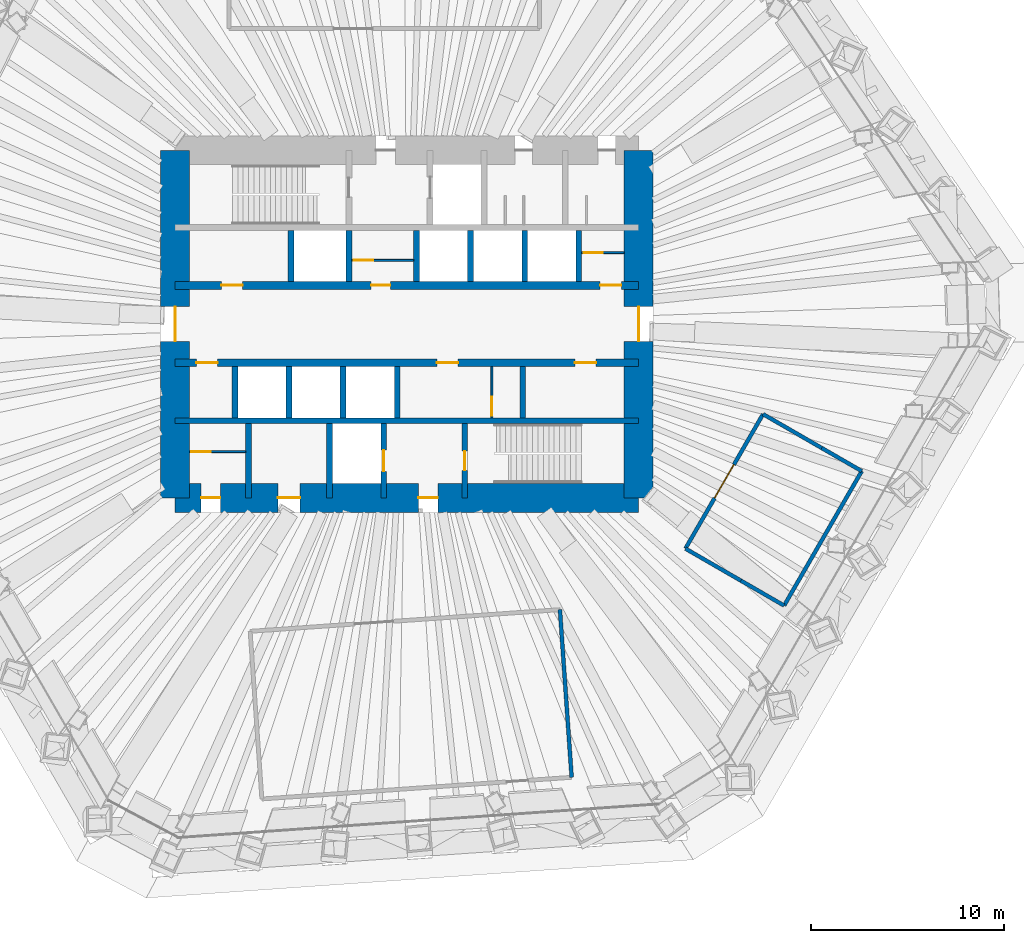
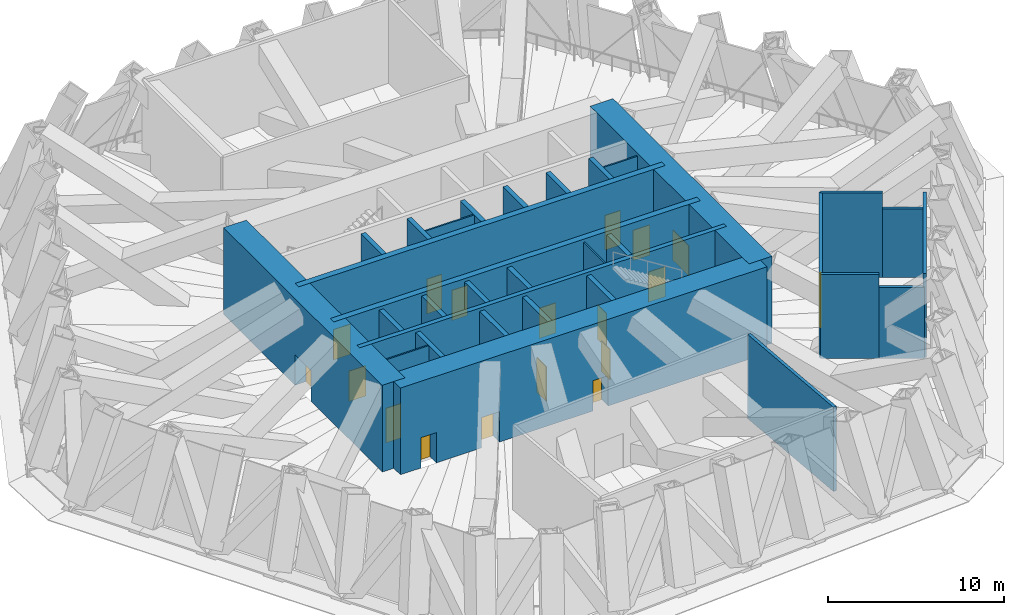
# One storey, part 7 of 12: 32 walls, 18 doors, 18 openings.
"""IFC4 building model written with IfcOpenShell, lengths in metres."""

from ifc_helpers import new_model, si_unit, direction, frame, frame_2d, origin, place, context, subcontext, project, spatial, rectangle, extrude, material, layer, layer_set, type_object, element, fill, save


model = new_model("IFC4")

# Units and contexts
model_context = context("Model", 3, precision=1e-05, world=origin(), true_north=direction((0.0, 1.0)))
body_context = subcontext(model_context, "Body", "Model", "MODEL_VIEW")
ifc_project = project(units=[si_unit("LENGTHUNIT", "METRE"), si_unit("AREAUNIT", "SQUARE_METRE"), si_unit("VOLUMEUNIT", "CUBIC_METRE"), si_unit("PLANEANGLEUNIT", "RADIAN"), si_unit("MASSUNIT", "GRAM", prefix="KILO")], contexts=[model_context])

# Site, building, storey
site_placement = place(None, origin())
site = spatial("IfcSite", under=ifc_project, at=site_placement, CompositionType="ELEMENT")
building_placement = place(site_placement, origin())
building = spatial("IfcBuilding", under=site, at=building_placement, Name="Qingtian Harvest Tower", CompositionType="ELEMENT")
storey_placement = place(building_placement, frame((0.0, 0.0, 97.0)))
storey = spatial("IfcBuildingStorey", under=building, at=storey_placement, Name="L19", CompositionType="ELEMENT", Elevation=97.0)

# Wall
ifc_material_1 = material(Name="Concrete fc' 70 MPa", Category="concrete")
ifc_layer_1 = layer(ifc_material_1, 0.300048828125)
ifc_layer_set_1 = layer_set([ifc_layer_1], Name="Core inner wall RC5 300")
wall_type_1 = type_object("IfcWallType", Name="Core inner wall RC5 300", PredefinedType="SHEAR", material=ifc_layer_set_1)
wall_1_placement = place(storey_placement, frame((-12.0, -5.0, 0.0), z_axis=(0.0, 0.0, 1.0), x_axis=(1.0, 0.0, 0.0)))
element("IfcWall", 1, at=wall_1_placement, inside=storey, type_object=wall_type_1, Name="Core wall IS5 L19", PredefinedType="SHEAR", context=body_context, shape_type="SweptSolid", body=[
    extrude(rectangle(XDim=24.0, YDim=0.300048828125, at=frame_2d((12.0, 0.0))), origin(), (0.0, 0.0, 1.0), 6.0),
])

# Wall, openings, doors
ifc_material_2 = material(Name="Concrete fc' 70 MPa", Category="concrete")
ifc_layer_2 = layer(ifc_material_2, 0.39990234375)
ifc_layer_set_2 = layer_set([ifc_layer_2], Name="Core inner web RC6 400")
wall_type_2 = type_object("IfcWallType", Name="Core inner web RC6 400", PredefinedType="SHEAR", material=ifc_layer_set_2)
wall_2_placement = place(storey_placement, frame((-12.0, 2.0, 0.0), z_axis=(0.0, 0.0, 1.0), x_axis=(1.0, 0.0, 0.0)))
wall_2 = element("IfcWall", 2, at=wall_2_placement, inside=storey, type_object=wall_type_2, Name="Core wall IN2 L19", PredefinedType="SHEAR", context=body_context, shape_type="SweptSolid", body=[
    extrude(rectangle(XDim=24.0, YDim=0.39990234375, at=frame_2d((12.0, 0.0))), origin(), (0.0, 0.0, 1.0), 6.0),
])
opening_1_placement = place(wall_2_placement, frame((2.39990234375, 0.0, 0.0)))
opening_1 = element("IfcOpeningElement", 3, at=opening_1_placement, cuts=wall_2, Name="Opening FD4", PredefinedType="OPENING", context=body_context, shape_type="SweptSolid", body=[
    extrude(rectangle(XDim=1.10009765625, YDim=2.10009765625, at=frame_2d((0.550048828125, 1.050048828125))), frame((0.0, 0.2099609375, 0.0), z_axis=(0.0, -1.0, 0.0), x_axis=(1.0, 0.0, 0.0)), (0.0, 0.0, 1.0), 0.419921875),
])
opening_2_placement = place(wall_2_placement, frame((22.0, 0.0, 0.0)))
opening_2 = element("IfcOpeningElement", 4, at=opening_2_placement, cuts=wall_2, Name="Opening FD4", PredefinedType="OPENING", context=body_context, shape_type="SweptSolid", body=[
    extrude(rectangle(XDim=1.10009765625, YDim=2.10009765625, at=frame_2d((0.550048828125, 1.050048828125))), frame((0.0, 0.2099609375, 0.0), z_axis=(0.0, -1.0, 0.0), x_axis=(1.0, 0.0, 0.0)), (0.0, 0.0, 1.0), 0.419921875),
])
opening_3_placement = place(wall_2_placement, frame((10.14990234375, 0.0, 0.0)))
opening_3 = element("IfcOpeningElement", 5, at=opening_3_placement, cuts=wall_2, Name="Opening FD1", PredefinedType="OPENING", context=body_context, shape_type="SweptSolid", body=[
    extrude(rectangle(XDim=1.0, YDim=2.10009765625, at=frame_2d((0.5, 1.050048828125))), frame((0.0, 0.2099609375, 0.0), z_axis=(0.0, -1.0, 0.0), x_axis=(1.0, 0.0, 0.0)), (0.0, 0.0, 1.0), 0.419921875),
])
ifc_material_3 = material(Name="Steel-faced door leaf", Category="steel")
door_type_1 = type_object("IfcDoorType", Name="Fire door FD1 single 1 HR", OperationType="SINGLE_SWING_LEFT", PredefinedType="DOOR", material=ifc_material_3)
door_1_placement = place(opening_3_placement, origin())
door_1 = element("IfcDoor", 6, at=door_1_placement, inside=storey, type_object=door_type_1, Name="STA door L19", OperationType="SINGLE_SWING_RIGHT", OverallHeight=2.10009765625, OverallWidth=1.0, PredefinedType="DOOR", context=body_context, shape_type="SweptSolid", body=[
    extrude(rectangle(XDim=1.0, YDim=2.10009765625, at=frame_2d((0.5, 1.050048828125))), frame((0.0, 0.02490234375, 0.0), z_axis=(0.0, -1.0, 0.0), x_axis=(1.0, 0.0, 0.0)), (0.0, 0.0, 1.0), 0.050048828125),
])
fill(opening_3, door_1)
ifc_material_4 = material(Name="Steel-faced door leaf", Category="steel")
door_type_2 = type_object("IfcDoorType", Name="Fire door FD4 single 2 HR", OperationType="SINGLE_SWING_LEFT", PredefinedType="DOOR", material=ifc_material_4)
door_2_placement = place(opening_1_placement, origin())
door_2 = element("IfcDoor", 7, at=door_2_placement, inside=storey, type_object=door_type_2, Name="RA door L19", OperationType="SINGLE_SWING_LEFT", OverallHeight=2.10009765625, OverallWidth=1.10009765625, PredefinedType="DOOR", context=body_context, shape_type="SweptSolid", body=[
    extrude(rectangle(XDim=1.10009765625, YDim=2.10009765625, at=frame_2d((0.550048828125, 1.050048828125))), frame((0.0, 0.02490234375, 0.0), z_axis=(0.0, -1.0, 0.0), x_axis=(1.0, 0.0, 0.0)), (0.0, 0.0, 1.0), 0.050048828125),
])
fill(opening_1, door_2)
door_3_placement = place(opening_2_placement, origin())
door_3 = element("IfcDoor", 8, at=door_3_placement, inside=storey, type_object=door_type_2, Name="AHU door L19", OperationType="SINGLE_SWING_LEFT", OverallHeight=2.10009765625, OverallWidth=1.10009765625, PredefinedType="DOOR", context=body_context, shape_type="SweptSolid", body=[
    extrude(rectangle(XDim=1.10009765625, YDim=2.10009765625, at=frame_2d((0.550048828125, 1.050048828125))), frame((0.0, 0.02490234375, 0.0), z_axis=(0.0, -1.0, 0.0), x_axis=(1.0, 0.0, 0.0)), (0.0, 0.0, 1.0), 0.050048828125),
])
fill(opening_2, door_3)

wall_3_placement = place(storey_placement, frame((-12.0, -2.0, 0.0), z_axis=(0.0, 0.0, 1.0), x_axis=(1.0, 0.0, 0.0)))
wall_3 = element("IfcWall", 9, at=wall_3_placement, inside=storey, type_object=wall_type_2, Name="Core wall IS2 L19", PredefinedType="SHEAR", context=body_context, shape_type="SweptSolid", body=[
    extrude(rectangle(XDim=24.0, YDim=0.39990234375, at=frame_2d((12.0, 0.0))), origin(), (0.0, 0.0, 1.0), 6.0),
])
opening_4_placement = place(wall_3_placement, frame((1.10009765625, 0.0, 0.0)))
opening_4 = element("IfcOpeningElement", 10, at=opening_4_placement, cuts=wall_3, Name="Opening FD4", PredefinedType="OPENING", context=body_context, shape_type="SweptSolid", body=[
    extrude(rectangle(XDim=1.10009765625, YDim=2.10009765625, at=frame_2d((0.550048828125, 1.050048828125))), frame((0.0, 0.2099609375, 0.0), z_axis=(0.0, -1.0, 0.0), x_axis=(1.0, 0.0, 0.0)), (0.0, 0.0, 1.0), 0.419921875),
])
opening_5_placement = place(wall_3_placement, frame((13.550048828125, 0.0, 0.0)))
opening_5 = element("IfcOpeningElement", 11, at=opening_5_placement, cuts=wall_3, Name="Opening FD4", PredefinedType="OPENING", context=body_context, shape_type="SweptSolid", body=[
    extrude(rectangle(XDim=1.10009765625, YDim=2.10009765625, at=frame_2d((0.550048828125, 1.050048828125))), frame((0.0, 0.2099609375, 0.0), z_axis=(0.0, -1.0, 0.0), x_axis=(1.0, 0.0, 0.0)), (0.0, 0.0, 1.0), 0.419921875),
])
opening_6_placement = place(wall_3_placement, frame((20.699951171875, 0.0, 0.0)))
opening_6 = element("IfcOpeningElement", 12, at=opening_6_placement, cuts=wall_3, Name="Opening FD4", PredefinedType="OPENING", context=body_context, shape_type="SweptSolid", body=[
    extrude(rectangle(XDim=1.10009765625, YDim=2.10009765625, at=frame_2d((0.550048828125, 1.050048828125))), frame((0.0, 0.2099609375, 0.0), z_axis=(0.0, -1.0, 0.0), x_axis=(1.0, 0.0, 0.0)), (0.0, 0.0, 1.0), 0.419921875),
])
door_4_placement = place(opening_4_placement, origin())
door_4 = element("IfcDoor", 13, at=door_4_placement, inside=storey, type_object=door_type_2, Name="RB door L19", OperationType="SINGLE_SWING_LEFT", OverallHeight=2.10009765625, OverallWidth=1.10009765625, PredefinedType="DOOR", context=body_context, shape_type="SweptSolid", body=[
    extrude(rectangle(XDim=1.10009765625, YDim=2.10009765625, at=frame_2d((0.550048828125, 1.050048828125))), frame((0.0, 0.02490234375, 0.0), z_axis=(0.0, -1.0, 0.0), x_axis=(1.0, 0.0, 0.0)), (0.0, 0.0, 1.0), 0.050048828125),
])
fill(opening_4, door_4)
door_5_placement = place(opening_5_placement, origin())
door_5 = element("IfcDoor", 14, at=door_5_placement, inside=storey, type_object=door_type_2, Name="ELEC door L19", OperationType="SINGLE_SWING_RIGHT", OverallHeight=2.10009765625, OverallWidth=1.10009765625, PredefinedType="DOOR", context=body_context, shape_type="SweptSolid", body=[
    extrude(rectangle(XDim=1.10009765625, YDim=2.10009765625, at=frame_2d((0.550048828125, 1.050048828125))), frame((0.0, 0.02490234375, 0.0), z_axis=(0.0, -1.0, 0.0), x_axis=(1.0, 0.0, 0.0)), (0.0, 0.0, 1.0), 0.050048828125),
])
fill(opening_5, door_5)
door_6_placement = place(opening_6_placement, origin())
door_6 = element("IfcDoor", 15, at=door_6_placement, inside=storey, type_object=door_type_2, Name="DUCT door L19", OperationType="SINGLE_SWING_LEFT", OverallHeight=2.10009765625, OverallWidth=1.10009765625, PredefinedType="DOOR", context=body_context, shape_type="SweptSolid", body=[
    extrude(rectangle(XDim=1.10009765625, YDim=2.10009765625, at=frame_2d((0.550048828125, 1.050048828125))), frame((0.0, 0.02490234375, 0.0), z_axis=(0.0, -1.0, 0.0), x_axis=(1.0, 0.0, 0.0)), (0.0, 0.0, 1.0), 0.050048828125),
])
fill(opening_6, door_6)

# Walls
ifc_material_5 = material(Name="Precast concrete shaft panel", Category="concrete")
ifc_layer_3 = layer(ifc_material_5, 0.300048828125)
ifc_layer_set_3 = layer_set([ifc_layer_3], Name="Core shaft partition SW1 300")
wall_type_3 = type_object("IfcWallType", Name="Core shaft partition SW1 300", PredefinedType="PARTITIONING", material=ifc_layer_set_3)
for number, where, z_axis, x_axis, name in (
    (16, (-6.0, 2.199951171875, 0.0), (0.0, 0.0, 1.0), (0.0, 1.0, 0.0), "Core shaft partition XA1 L19"),
    (17, (-3.0, 2.199951171875, 0.0), (0.0, 0.0, 1.0), (0.0, 1.0, 0.0), "Core shaft partition XA2 L19"),
    (18, (0.5, 2.199951171875, 0.0), (0.0, 0.0, 1.0), (0.0, 1.0, 0.0), "Core shaft partition XA3 L19"),
    (19, (3.300048828125, 2.199951171875, 0.0), (0.0, 0.0, 1.0), (0.0, 1.0, 0.0), "Core shaft partition XA4 L19"),
    (20, (6.10009765625, 2.199951171875, 0.0), (0.0, 0.0, 1.0), (0.0, 1.0, 0.0), "Core shaft partition XA5 L19"),
    (21, (8.89990234375, 2.199951171875, 0.0), (0.0, 0.0, 1.0), (0.0, 1.0, 0.0), "Core shaft partition XA6 L19"),
    (22, (-8.89990234375, -4.85009765625, 0.0), (0.0, 0.0, 1.0), (0.0, 1.0, 0.0), "Core shaft partition XB1 L19"),
    (23, (-6.10009765625, -4.85009765625, 0.0), (0.0, 0.0, 1.0), (0.0, 1.0, 0.0), "Core shaft partition XB2 L19"),
    (24, (-3.300048828125, -4.85009765625, 0.0), (0.0, 0.0, 1.0), (0.0, 1.0, 0.0), "Core shaft partition XB3 L19"),
    (25, (-0.5, -4.85009765625, 0.0), (0.0, 0.0, 1.0), (0.0, 1.0, 0.0), "Core shaft partition XB4 L19"),
    (26, (6.0, -4.85009765625, 0.0), (0.0, 0.0, 1.0), (0.0, 1.0, 0.0), "Core shaft partition XB5 L19"),
):
    element("IfcWall", number, at=place(storey_placement, frame(where, z_axis=z_axis, x_axis=x_axis)), inside=storey, type_object=wall_type_3, Name=name, PredefinedType="PARTITIONING", context=body_context, shape_type="SweptSolid", body=[
        extrude(rectangle(XDim=2.650146484375, YDim=0.300048828125, at=frame_2d((1.3251953125, 0.0))), origin(), (0.0, 0.0, 1.0), 5.780029296875),
    ])
for number, where, z_axis, x_axis, name in (
    (27, (-8.199951171875, -9.0, 0.0), (0.0, 0.0, 1.0), (0.0, 1.0, 0.0), "Core shaft partition XS1 L19"),
    (28, (-4.0, -9.0, 0.0), (0.0, 0.0, 1.0), (0.0, 1.0, 0.0), "Core shaft partition XS2 L19"),
):
    element("IfcWall", number, at=place(storey_placement, frame(where, z_axis=z_axis, x_axis=x_axis)), inside=storey, type_object=wall_type_3, Name=name, PredefinedType="PARTITIONING", context=body_context, shape_type="SweptSolid", body=[
        extrude(rectangle(XDim=3.85009765625, YDim=0.300048828125, at=frame_2d((1.925048828125, 0.0))), origin(), (0.0, 0.0, 1.0), 5.780029296875),
    ])

# Wall, opening, door
wall_4_placement = place(storey_placement, frame((-1.199951171875, -9.0, 0.0), z_axis=(0.0, 0.0, 1.0), x_axis=(0.0, 1.0, 0.0)))
wall_4 = element("IfcWall", 29, at=wall_4_placement, inside=storey, type_object=wall_type_3, Name="Core shaft partition XS3 L19", PredefinedType="PARTITIONING", context=body_context, shape_type="SweptSolid", body=[
    extrude(rectangle(XDim=3.85009765625, YDim=0.300048828125, at=frame_2d((1.925048828125, 0.0))), origin(), (0.0, 0.0, 1.0), 5.780029296875),
])
opening_7_placement = place(wall_4_placement, frame((1.375, 0.0, 0.0)))
opening_7 = element("IfcOpeningElement", 30, at=opening_7_placement, cuts=wall_4, Name="Opening LD1", PredefinedType="OPENING", context=body_context, shape_type="SweptSolid", body=[
    extrude(rectangle(XDim=1.10009765625, YDim=2.39990234375, at=frame_2d((0.550048828125, 1.199951171875))), frame((0.0, 0.159912109375, 0.0), z_axis=(0.0, -1.0, 0.0), x_axis=(1.0, 0.0, 0.0)), (0.0, 0.0, 1.0), 0.320068359375),
])
ifc_material_6 = material(Name="Stainless steel lift landing door", Category="steel")
door_type_3 = type_object("IfcDoorType", Name="Lift landing door LD1 1 HR", OperationType="DOUBLE_DOOR_SLIDING", PredefinedType="DOOR", material=ifc_material_6)
door_7_placement = place(opening_7_placement, origin())
door_7 = element("IfcDoor", 31, at=door_7_placement, inside=storey, type_object=door_type_3, Name="FL2 landing door L19", OperationType="DOUBLE_DOOR_SLIDING", OverallHeight=2.39990234375, OverallWidth=1.10009765625, PredefinedType="DOOR", context=body_context, shape_type="SweptSolid", body=[
    extrude(rectangle(XDim=1.10009765625, YDim=2.39990234375, at=frame_2d((0.550048828125, 1.199951171875))), frame((0.0, 0.02490234375, 0.0), z_axis=(0.0, -1.0, 0.0), x_axis=(1.0, 0.0, 0.0)), (0.0, 0.0, 1.0), 0.050048828125),
])
fill(opening_7, door_7)

wall_5_placement = place(storey_placement, frame((3.0, -9.0, 0.0), z_axis=(0.0, 0.0, 1.0), x_axis=(0.0, 1.0, 0.0)))
wall_5 = element("IfcWall", 32, at=wall_5_placement, inside=storey, type_object=wall_type_3, Name="Core shaft partition XS4 L19", PredefinedType="PARTITIONING", context=body_context, shape_type="SweptSolid", body=[
    extrude(rectangle(XDim=3.85009765625, YDim=0.300048828125, at=frame_2d((1.925048828125, 0.0))), origin(), (0.0, 0.0, 1.0), 5.780029296875),
])
opening_8_placement = place(wall_5_placement, frame((1.425048828125, 0.0, 0.0)))
opening_8 = element("IfcOpeningElement", 33, at=opening_8_placement, cuts=wall_5, Name="Opening FD1", PredefinedType="OPENING", context=body_context, shape_type="SweptSolid", body=[
    extrude(rectangle(XDim=1.0, YDim=2.10009765625, at=frame_2d((0.5, 1.050048828125))), frame((0.0, 0.159912109375, 0.0), z_axis=(0.0, -1.0, 0.0), x_axis=(1.0, 0.0, 0.0)), (0.0, 0.0, 1.0), 0.320068359375),
])
door_8_placement = place(opening_8_placement, origin())
door_8 = element("IfcDoor", 34, at=door_8_placement, inside=storey, type_object=door_type_1, Name="S2 door L19", OperationType="SINGLE_SWING_LEFT", OverallHeight=2.10009765625, OverallWidth=1.0, PredefinedType="DOOR", context=body_context, shape_type="SweptSolid", body=[
    extrude(rectangle(XDim=1.0, YDim=2.10009765625, at=frame_2d((0.5, 1.050048828125))), frame((0.0, 0.02490234375, 0.0), z_axis=(0.0, -1.0, 0.0), x_axis=(1.0, 0.0, 0.0)), (0.0, 0.0, 1.0), 0.050048828125),
])
fill(opening_8, door_8)

# Wall, openings, doors
ifc_material_7 = material(Name="Concrete fc' 70 MPa", Category="concrete")
ifc_layer_4 = layer(ifc_material_7, 1.5)
ifc_layer_set_4 = layer_set([ifc_layer_4], Name="Core wall RC1 1500")
wall_type_4 = type_object("IfcWallType", Name="Core wall RC1 1500", PredefinedType="SHEAR", material=ifc_layer_set_4)
wall_6_placement = place(storey_placement, frame((-12.0, -9.0, 0.0), z_axis=(0.0, 0.0, 1.0), x_axis=(1.0, 0.0, 0.0)))
wall_6 = element("IfcWall", 35, at=wall_6_placement, inside=storey, type_object=wall_type_4, Name="Core wall CS L19", PredefinedType="SHEAR", context=body_context, shape_type="SweptSolid", body=[
    extrude(rectangle(XDim=24.0, YDim=1.5, at=frame_2d((12.0, 0.0))), origin(), (0.0, 0.0, 1.0), 6.0),
])
opening_9_placement = place(wall_6_placement, frame((1.35009765625, 0.0, 0.0)))
opening_9 = element("IfcOpeningElement", 36, at=opening_9_placement, cuts=wall_6, Name="Opening FD1", PredefinedType="OPENING", context=body_context, shape_type="SweptSolid", body=[
    extrude(rectangle(XDim=1.0, YDim=2.10009765625, at=frame_2d((0.5, 1.050048828125))), frame((0.0, 0.760009765625, 0.0), z_axis=(0.0, -1.0, 0.0), x_axis=(1.0, 0.0, 0.0)), (0.0, 0.0, 1.0), 1.52001953125),
])
opening_10_placement = place(wall_6_placement, frame((5.324951171875, 0.0, 0.0)))
opening_10 = element("IfcOpeningElement", 37, at=opening_10_placement, cuts=wall_6, Name="Opening AD1", PredefinedType="OPENING", context=body_context, shape_type="SweptSolid", body=[
    extrude(rectangle(XDim=1.14990234375, YDim=2.10009765625, at=frame_2d((0.574951171875, 1.050048828125))), frame((0.0, 0.760009765625, 0.0), z_axis=(0.0, -1.0, 0.0), x_axis=(1.0, 0.0, 0.0)), (0.0, 0.0, 1.0), 1.52001953125),
])
opening_11_placement = place(wall_6_placement, frame((12.60009765625, 0.0, 0.0)))
opening_11 = element("IfcOpeningElement", 38, at=opening_11_placement, cuts=wall_6, Name="Opening FD1", PredefinedType="OPENING", context=body_context, shape_type="SweptSolid", body=[
    extrude(rectangle(XDim=1.0, YDim=2.10009765625, at=frame_2d((0.5, 1.050048828125))), frame((0.0, 0.760009765625, 0.0), z_axis=(0.0, -1.0, 0.0), x_axis=(1.0, 0.0, 0.0)), (0.0, 0.0, 1.0), 1.52001953125),
])
ifc_material_8 = material(Name="Laminated timber door leaf", Category="wood")
door_type_4 = type_object("IfcDoorType", Name="Accessible WC door AD1 single", OperationType="SINGLE_SWING_LEFT", PredefinedType="DOOR", material=ifc_material_8)
door_9_placement = place(opening_10_placement, origin())
door_9 = element("IfcDoor", 39, at=door_9_placement, inside=storey, type_object=door_type_4, Name="AWC door L19", OperationType="SINGLE_SWING_LEFT", OverallHeight=2.10009765625, OverallWidth=1.14990234375, PredefinedType="DOOR", context=body_context, shape_type="SweptSolid", body=[
    extrude(rectangle(XDim=1.14990234375, YDim=2.10009765625, at=frame_2d((0.574951171875, 1.050048828125))), frame((0.0, 0.02490234375, 0.0), z_axis=(0.0, -1.0, 0.0), x_axis=(1.0, 0.0, 0.0)), (0.0, 0.0, 1.0), 0.050048828125),
])
fill(opening_10, door_9)
door_10_placement = place(opening_9_placement, origin())
door_10 = element("IfcDoor", 40, at=door_10_placement, inside=storey, type_object=door_type_1, Name="CLN door L19", OperationType="SINGLE_SWING_RIGHT", OverallHeight=2.10009765625, OverallWidth=1.0, PredefinedType="DOOR", context=body_context, shape_type="SweptSolid", body=[
    extrude(rectangle(XDim=1.0, YDim=2.10009765625, at=frame_2d((0.5, 1.050048828125))), frame((0.0, 0.02490234375, 0.0), z_axis=(0.0, -1.0, 0.0), x_axis=(1.0, 0.0, 0.0)), (0.0, 0.0, 1.0), 0.050048828125),
])
fill(opening_9, door_10)
door_11_placement = place(opening_11_placement, origin())
door_11 = element("IfcDoor", 41, at=door_11_placement, inside=storey, type_object=door_type_1, Name="V2 door L19", OperationType="SINGLE_SWING_RIGHT", OverallHeight=2.10009765625, OverallWidth=1.0, PredefinedType="DOOR", context=body_context, shape_type="SweptSolid", body=[
    extrude(rectangle(XDim=1.0, YDim=2.10009765625, at=frame_2d((0.5, 1.050048828125))), frame((0.0, 0.02490234375, 0.0), z_axis=(0.0, -1.0, 0.0), x_axis=(1.0, 0.0, 0.0)), (0.0, 0.0, 1.0), 0.050048828125),
])
fill(opening_11, door_11)

# Wall, opening, door
wall_7_placement = place(storey_placement, frame((12.0, -9.0, 0.0), z_axis=(0.0, 0.0, 1.0), x_axis=(0.0, 1.0, 0.0)))
wall_7 = element("IfcWall", 42, at=wall_7_placement, inside=storey, type_object=wall_type_4, Name="Core wall CE L19", PredefinedType="SHEAR", context=body_context, shape_type="SweptSolid", body=[
    extrude(rectangle(XDim=18.0, YDim=1.5, at=frame_2d((9.0, 0.0))), origin(), (0.0, 0.0, 1.0), 6.0),
])
opening_12_placement = place(wall_7_placement, frame((8.10009765625, 0.0, 0.0)))
opening_12 = element("IfcOpeningElement", 43, at=opening_12_placement, cuts=wall_7, Name="Opening FD2", PredefinedType="OPENING", context=body_context, shape_type="SweptSolid", body=[
    extrude(rectangle(XDim=1.800048828125, YDim=2.10009765625, at=frame_2d((0.89990234375, 1.050048828125))), frame((0.0, 0.760009765625, 0.0), z_axis=(0.0, -1.0, 0.0), x_axis=(1.0, 0.0, 0.0)), (0.0, 0.0, 1.0), 1.52001953125),
])
ifc_material_9 = material(Name="Steel-faced door leaf", Category="steel")
door_type_5 = type_object("IfcDoorType", Name="Fire door FD2 double 1 HR", OperationType="DOUBLE_DOOR_DOUBLE_SWING", PredefinedType="DOOR", material=ifc_material_9)
door_12_placement = place(opening_12_placement, origin())
door_12 = element("IfcDoor", 44, at=door_12_placement, inside=storey, type_object=door_type_5, Name="LOBBY-E door L19", OperationType="DOUBLE_DOOR_DOUBLE_SWING", OverallHeight=2.10009765625, OverallWidth=1.800048828125, PredefinedType="DOOR", context=body_context, shape_type="SweptSolid", body=[
    extrude(rectangle(XDim=1.800048828125, YDim=2.10009765625, at=frame_2d((0.89990234375, 1.050048828125))), frame((0.0, 0.02490234375, 0.0), z_axis=(0.0, -1.0, 0.0), x_axis=(1.0, 0.0, 0.0)), (0.0, 0.0, 1.0), 0.050048828125),
])
fill(opening_12, door_12)

wall_8_placement = place(storey_placement, frame((-12.0, -9.0, 0.0), z_axis=(0.0, 0.0, 1.0), x_axis=(0.0, 1.0, 0.0)))
wall_8 = element("IfcWall", 45, at=wall_8_placement, inside=storey, type_object=wall_type_4, Name="Core wall CW L19", PredefinedType="SHEAR", context=body_context, shape_type="SweptSolid", body=[
    extrude(rectangle(XDim=18.0, YDim=1.5, at=frame_2d((9.0, 0.0))), origin(), (0.0, 0.0, 1.0), 6.0),
])
opening_13_placement = place(wall_8_placement, frame((8.10009765625, 0.0, 0.0)))
opening_13 = element("IfcOpeningElement", 46, at=opening_13_placement, cuts=wall_8, Name="Opening FD2", PredefinedType="OPENING", context=body_context, shape_type="SweptSolid", body=[
    extrude(rectangle(XDim=1.800048828125, YDim=2.10009765625, at=frame_2d((0.89990234375, 1.050048828125))), frame((0.0, 0.760009765625, 0.0), z_axis=(0.0, -1.0, 0.0), x_axis=(1.0, 0.0, 0.0)), (0.0, 0.0, 1.0), 1.52001953125),
])
door_13_placement = place(opening_13_placement, origin())
door_13 = element("IfcDoor", 47, at=door_13_placement, inside=storey, type_object=door_type_5, Name="LOBBY-W door L19", OperationType="DOUBLE_DOOR_DOUBLE_SWING", OverallHeight=2.10009765625, OverallWidth=1.800048828125, PredefinedType="DOOR", context=body_context, shape_type="SweptSolid", body=[
    extrude(rectangle(XDim=1.800048828125, YDim=2.10009765625, at=frame_2d((0.89990234375, 1.050048828125))), frame((0.0, 0.02490234375, 0.0), z_axis=(0.0, -1.0, 0.0), x_axis=(1.0, 0.0, 0.0)), (0.0, 0.0, 1.0), 0.050048828125),
])
fill(opening_13, door_13)

# Walls
ifc_material_10 = material(Name="Blockwork fire wall", Category="masonry")
ifc_layer_5 = layer(ifc_material_10, 0.199951171875)
ifc_layer_set_5 = layer_set([ifc_layer_5], Name="Fire partition FW1 200")
wall_type_5 = type_object("IfcWallType", Name="Fire partition FW1 200", PredefinedType="PARTITIONING", material=ifc_layer_set_5)
wall_9_placement = place(storey_placement, frame((8.531005859375, -23.462158203125, 0.0), z_axis=(0.0, 0.0, 1.0), x_axis=(-0.069761270222, 0.997563714846, 0.0)))
element("IfcWall", 48, at=wall_9_placement, inside=storey, type_object=wall_type_5, Name="Mechanical plant room wall L19", PredefinedType="PARTITIONING", context=body_context, shape_type="SweptSolid", body=[
    extrude(rectangle(XDim=8.7001953125, YDim=0.199951171875, at=frame_2d((4.35009765625, 0.0))), origin(), (0.0, 0.0, 1.0), 5.830078125),
])
wall_10_placement = place(storey_placement, frame((23.549560546875, -7.61083984375, 0.0), z_axis=(0.0, 0.0, 1.0), x_axis=(-0.866029160995, 0.499993492265, 0.0)))
element("IfcWall", 49, at=wall_10_placement, inside=storey, type_object=wall_type_5, Name="Water tank room wall L19", PredefinedType="PARTITIONING", context=body_context, shape_type="SweptSolid", body=[
    extrude(rectangle(XDim=2.39111328125, YDim=0.199951171875, at=frame_2d((1.195556640625, 0.0))), origin(), (0.0, 0.0, 1.0), 4.72998046875),
])
wall_11_placement = place(storey_placement, frame((19.530517578125, -14.572021484375, 0.0), z_axis=(0.0, 0.0, 1.0), x_axis=(-0.866033117094, 0.499986639918, 0.0)))
element("IfcWall", 50, at=wall_11_placement, inside=storey, type_object=wall_type_5, Name="Water tank room wall L19", PredefinedType="PARTITIONING", context=body_context, shape_type="SweptSolid", body=[
    extrude(rectangle(XDim=2.58642578125, YDim=0.199951171875, at=frame_2d((1.293212890625, 0.0))), origin(), (0.0, 0.0, 1.0), 4.929931640625),
])

# Wall, opening, door
wall_12_placement = place(storey_placement, frame((18.43994140625, -4.660888671875, 0.0), z_axis=(0.0, 0.0, 1.0), x_axis=(-0.500000268222, -0.866025248926, 0.0)))
wall_12 = element("IfcWall", 51, at=wall_12_placement, inside=storey, type_object=wall_type_5, Name="Water tank room wall L19", PredefinedType="PARTITIONING", context=body_context, shape_type="SweptSolid", body=[
    extrude(rectangle(XDim=8.0380859375, YDim=0.199951171875, at=frame_2d((4.01904296875, 0.0))), origin(), (0.0, 0.0, 1.0), 5.830078125),
])
opening_14_placement = place(wall_12_placement, frame((3.01904296875, 0.0, 0.0)))
opening_14 = element("IfcOpeningElement", 52, at=opening_14_placement, cuts=wall_12, Name="Opening FD3", PredefinedType="OPENING", context=body_context, shape_type="SweptSolid", body=[
    extrude(rectangle(XDim=2.0, YDim=2.39990234375, at=frame_2d((1.0, 1.199951171875))), frame((0.0, 0.10986328125, 0.0), z_axis=(0.0, -1.0, 0.0), x_axis=(1.0, 0.0, 0.0)), (0.0, 0.0, 1.0), 0.219970703125),
])
ifc_material_11 = material(Name="Steel-faced door leaf", Category="steel")
door_type_6 = type_object("IfcDoorType", Name="Fire door FD3 double 2 HR", OperationType="DOUBLE_DOOR_DOUBLE_SWING", PredefinedType="DOOR", material=ifc_material_11)
door_14_placement = place(opening_14_placement, origin())
door_14 = element("IfcDoor", 53, at=door_14_placement, inside=storey, type_object=door_type_6, Name="Water tank room door L19", OperationType="DOUBLE_DOOR_DOUBLE_SWING", OverallHeight=2.39990234375, OverallWidth=2.0, PredefinedType="DOOR", context=body_context, shape_type="SweptSolid", body=[
    extrude(rectangle(XDim=2.0, YDim=2.39990234375, at=frame_2d((1.0, 1.199951171875))), frame((0.0, 0.02490234375, 0.0), z_axis=(0.0, -1.0, 0.0), x_axis=(1.0, 0.0, 0.0)), (0.0, 0.0, 1.0), 0.050048828125),
])
fill(opening_14, door_14)

# Walls
wall_13_placement = place(storey_placement, frame((23.549560546875, -7.61083984375, 0.0), z_axis=(0.0, 0.0, 1.0), x_axis=(-0.500000268222, -0.866025248926, 0.0)))
element("IfcWall", 54, at=wall_13_placement, inside=storey, type_object=wall_type_5, Name="Water tank room outer wall L19", PredefinedType="PARTITIONING", context=body_context, shape_type="SweptSolid", body=[
    extrude(rectangle(XDim=8.0380859375, YDim=0.199951171875, at=frame_2d((4.01904296875, 0.0))), origin(), (0.0, 0.0, 1.0), 5.830078125),
])
wall_14_placement = place(storey_placement, frame((21.478759765625, -6.415283203125, 0.0), z_axis=(0.0, 0.0, 1.0), x_axis=(-0.866033803376, 0.499985451198, 0.0)))
element("IfcWall", 55, at=wall_14_placement, inside=storey, type_object=wall_type_5, Name="Water tank room wall L19", PredefinedType="PARTITIONING", context=body_context, shape_type="SweptSolid", body=[
    extrude(rectangle(XDim=3.5087890625, YDim=0.199951171875, at=frame_2d((1.75439453125, 0.0))), origin(), (0.0, 0.0, 1.0), 5.830078125),
])
wall_15_placement = place(storey_placement, frame((17.29052734375, -13.27880859375, 0.0), z_axis=(0.0, 0.0, 1.0), x_axis=(-0.866030989016, 0.499990325971, 0.0)))
element("IfcWall", 56, at=wall_15_placement, inside=storey, type_object=wall_type_5, Name="Water tank room wall L19", PredefinedType="PARTITIONING", context=body_context, shape_type="SweptSolid", body=[
    extrude(rectangle(XDim=3.3134765625, YDim=0.199951171875, at=frame_2d((1.65673828125, 0.0))), origin(), (0.0, 0.0, 1.0), 5.830078125),
])

# Wall, opening, door
ifc_material_12 = material(Name="Concrete block partition", Category="concrete")
ifc_layer_6 = layer(ifc_material_12, 0.10009765625)
ifc_layer_set_6 = layer_set([ifc_layer_6], Name="Store partition PT3 100")
wall_type_6 = type_object("IfcWallType", Name="Store partition PT3 100", PredefinedType="PARTITIONING", material=ifc_layer_set_6)
wall_16_placement = place(storey_placement, frame((-2.85009765625, 3.300048828125, 0.0), z_axis=(0.0, 0.0, 1.0), x_axis=(1.0, 0.0, 0.0)))
wall_16 = element("IfcWall", 57, at=wall_16_placement, inside=storey, type_object=wall_type_6, Name="Tool store wall L19", PredefinedType="PARTITIONING", context=body_context, shape_type="SweptSolid", body=[
    extrude(rectangle(XDim=3.2001953125, YDim=0.10009765625, at=frame_2d((1.60009765625, 0.0))), origin(), (0.0, 0.0, 1.0), 5.780029296875),
])
opening_15_placement = place(wall_16_placement, frame((0.10009765625, 0.0, 0.0)))
opening_15 = element("IfcOpeningElement", 58, at=opening_15_placement, cuts=wall_16, Name="Opening D2", PredefinedType="OPENING", context=body_context, shape_type="SweptSolid", body=[
    extrude(rectangle(XDim=1.0, YDim=2.39990234375, at=frame_2d((0.5, 1.199951171875))), frame((0.0, 0.06005859375, 0.0), z_axis=(0.0, -1.0, 0.0), x_axis=(1.0, 0.0, 0.0)), (0.0, 0.0, 1.0), 0.1201171875),
])
ifc_material_13 = material(Name="Laminated timber door leaf", Category="wood")
door_type_7 = type_object("IfcDoorType", Name="Room door D2 single", OperationType="SINGLE_SWING_LEFT", PredefinedType="DOOR", material=ifc_material_13)
door_15_placement = place(opening_15_placement, origin())
door_15 = element("IfcDoor", 59, at=door_15_placement, inside=storey, type_object=door_type_7, Name="Tool store door L19", OperationType="SINGLE_SWING_RIGHT", OverallHeight=2.39990234375, OverallWidth=1.0, PredefinedType="DOOR", context=body_context, shape_type="SweptSolid", body=[
    extrude(rectangle(XDim=1.0, YDim=2.39990234375, at=frame_2d((0.5, 1.199951171875))), frame((0.0, 0.02490234375, 0.0), z_axis=(0.0, -1.0, 0.0), x_axis=(1.0, 0.0, 0.0)), (0.0, 0.0, 1.0), 0.050048828125),
])
fill(opening_15, door_15)

wall_17_placement = place(storey_placement, frame((4.39990234375, -4.85009765625, 0.0), z_axis=(0.0, 0.0, 1.0), x_axis=(0.0, 1.0, 0.0)))
wall_17 = element("IfcWall", 60, at=wall_17_placement, inside=storey, type_object=wall_type_6, Name="Switchgear room wall L19", PredefinedType="PARTITIONING", context=body_context, shape_type="SweptSolid", body=[
    extrude(rectangle(XDim=2.650146484375, YDim=0.10009765625, at=frame_2d((1.3251953125, 0.0))), origin(), (0.0, 0.0, 1.0), 5.780029296875),
])
opening_16_placement = place(wall_17_placement, frame((0.10009765625, 0.0, 0.0)))
opening_16 = element("IfcOpeningElement", 61, at=opening_16_placement, cuts=wall_17, Name="Opening D2", PredefinedType="OPENING", context=body_context, shape_type="SweptSolid", body=[
    extrude(rectangle(XDim=1.0, YDim=2.39990234375, at=frame_2d((0.5, 1.199951171875))), frame((0.0, 0.06005859375, 0.0), z_axis=(0.0, -1.0, 0.0), x_axis=(1.0, 0.0, 0.0)), (0.0, 0.0, 1.0), 0.1201171875),
])
door_16_placement = place(opening_16_placement, origin())
door_16 = element("IfcDoor", 62, at=door_16_placement, inside=storey, type_object=door_type_7, Name="Switchgear room door L19", OperationType="SINGLE_SWING_LEFT", OverallHeight=2.39990234375, OverallWidth=1.0, PredefinedType="DOOR", context=body_context, shape_type="SweptSolid", body=[
    extrude(rectangle(XDim=1.0, YDim=2.39990234375, at=frame_2d((0.5, 1.199951171875))), frame((0.0, 0.02490234375, 0.0), z_axis=(0.0, -1.0, 0.0), x_axis=(1.0, 0.0, 0.0)), (0.0, 0.0, 1.0), 0.050048828125),
])
fill(opening_16, door_16)

wall_18_placement = place(storey_placement, frame((-11.25, -6.60009765625, 0.0), z_axis=(0.0, 0.0, 1.0), x_axis=(1.0, 0.0, 0.0)))
wall_18 = element("IfcWall", 63, at=wall_18_placement, inside=storey, type_object=wall_type_6, Name="Oil store wall L19", PredefinedType="PARTITIONING", context=body_context, shape_type="SweptSolid", body=[
    extrude(rectangle(XDim=2.89990234375, YDim=0.10009765625, at=frame_2d((1.449951171875, 0.0))), origin(), (0.0, 0.0, 1.0), 5.780029296875),
])
opening_17_placement = place(wall_18_placement, frame((0.10009765625, 0.0, 0.0)))
opening_17 = element("IfcOpeningElement", 64, at=opening_17_placement, cuts=wall_18, Name="Opening D2", PredefinedType="OPENING", context=body_context, shape_type="SweptSolid", body=[
    extrude(rectangle(XDim=1.0, YDim=2.39990234375, at=frame_2d((0.5, 1.199951171875))), frame((0.0, 0.06005859375, 0.0), z_axis=(0.0, -1.0, 0.0), x_axis=(1.0, 0.0, 0.0)), (0.0, 0.0, 1.0), 0.1201171875),
])
door_17_placement = place(opening_17_placement, origin())
door_17 = element("IfcDoor", 65, at=door_17_placement, inside=storey, type_object=door_type_7, Name="Oil store door L19", OperationType="SINGLE_SWING_RIGHT", OverallHeight=2.39990234375, OverallWidth=1.0, PredefinedType="DOOR", context=body_context, shape_type="SweptSolid", body=[
    extrude(rectangle(XDim=1.0, YDim=2.39990234375, at=frame_2d((0.5, 1.199951171875))), frame((0.0, 0.02490234375, 0.0), z_axis=(0.0, -1.0, 0.0), x_axis=(1.0, 0.0, 0.0)), (0.0, 0.0, 1.0), 0.050048828125),
])
fill(opening_17, door_17)

wall_19_placement = place(storey_placement, frame((9.050048828125, 3.699951171875, 0.0), z_axis=(0.0, 0.0, 1.0), x_axis=(1.0, 0.0, 0.0)))
wall_19 = element("IfcWall", 66, at=wall_19_placement, inside=storey, type_object=wall_type_6, Name="Filter plant room wall L19", PredefinedType="PARTITIONING", context=body_context, shape_type="SweptSolid", body=[
    extrude(rectangle(XDim=2.199951171875, YDim=0.10009765625, at=frame_2d((1.10009765625, 0.0))), origin(), (0.0, 0.0, 1.0), 5.780029296875),
])
opening_18_placement = place(wall_19_placement, frame((0.10009765625, 0.0, 0.0)))
opening_18 = element("IfcOpeningElement", 67, at=opening_18_placement, cuts=wall_19, Name="Opening D2", PredefinedType="OPENING", context=body_context, shape_type="SweptSolid", body=[
    extrude(rectangle(XDim=1.0, YDim=2.39990234375, at=frame_2d((0.5, 1.199951171875))), frame((0.0, 0.06005859375, 0.0), z_axis=(0.0, -1.0, 0.0), x_axis=(1.0, 0.0, 0.0)), (0.0, 0.0, 1.0), 0.1201171875),
])
door_18_placement = place(opening_18_placement, origin())
door_18 = element("IfcDoor", 68, at=door_18_placement, inside=storey, type_object=door_type_7, Name="Filter plant room door L19", OperationType="SINGLE_SWING_LEFT", OverallHeight=2.39990234375, OverallWidth=1.0, PredefinedType="DOOR", context=body_context, shape_type="SweptSolid", body=[
    extrude(rectangle(XDim=1.0, YDim=2.39990234375, at=frame_2d((0.5, 1.199951171875))), frame((0.0, 0.02490234375, 0.0), z_axis=(0.0, -1.0, 0.0), x_axis=(1.0, 0.0, 0.0)), (0.0, 0.0, 1.0), 0.050048828125),
])
fill(opening_18, door_18)

save(model, "model.ifc")
